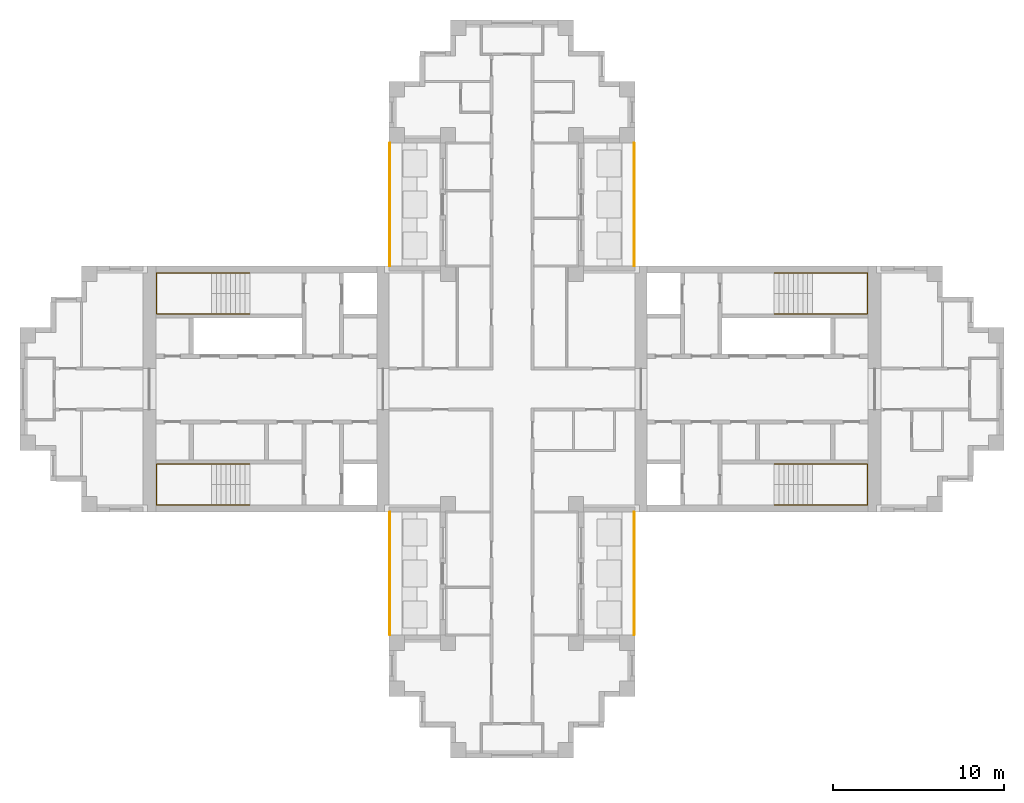
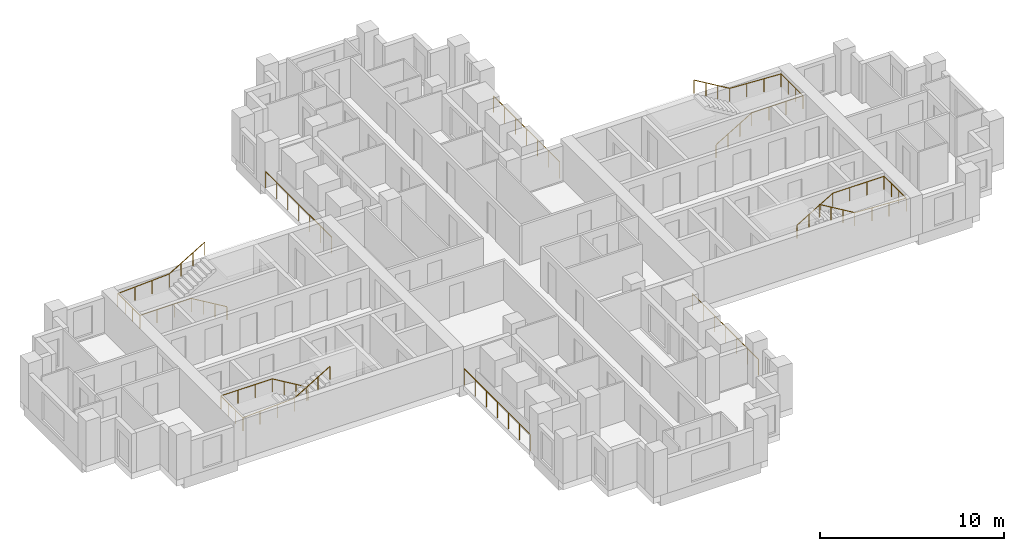
# One storey, part 9 of 10: 8 railings.
"""IFC4 building model written with IfcOpenShell, lengths in metres."""

from ifc_helpers import new_model, si_unit, direction, frame, origin, origin_2d, place, context, subcontext, project, spatial, circle, extrude, material, type_object, element, save


model = new_model("IFC4")

# Units and contexts
model_context = context("Model", 3, precision=1e-05, world=origin(), true_north=direction((0.0, 1.0)))
body_context = subcontext(model_context, "Body", "Model", "MODEL_VIEW")
ifc_project = project(units=[si_unit("LENGTHUNIT", "METRE"), si_unit("AREAUNIT", "SQUARE_METRE"), si_unit("VOLUMEUNIT", "CUBIC_METRE"), si_unit("PLANEANGLEUNIT", "RADIAN"), si_unit("MASSUNIT", "GRAM", prefix="KILO")], contexts=[model_context])

# Site, building, storey
site_placement = place(None, origin())
site = spatial("IfcSite", under=ifc_project, at=site_placement, CompositionType="ELEMENT")
building_placement = place(site_placement, origin())
building = spatial("IfcBuilding", under=site, at=building_placement, Name="Fustian Cross Tower", CompositionType="ELEMENT")
storey_placement = place(building_placement, frame((0.0, 0.0, 207.89990234375)))
storey = spatial("IfcBuildingStorey", under=building, at=storey_placement, Name="L65", CompositionType="ELEMENT", Elevation=207.89990234375)

# Railings
ifc_material_1 = material(Name="Stainless steel and glass", Category="steel")
railing_type_1 = type_object("IfcRailingType", Name="GR1 BALCONY GUARD 1100", PredefinedType="GUARDRAIL", material=ifc_material_1)
for number, where, name in (
    (1, (7.14990234375, 7.199951171875, 0.0), "Balcony guard"),
    (2, (-7.14990234375, 7.199951171875, 0.0), "Balcony guard"),
    (3, (7.14990234375, -14.39990234375, 0.0), "Balcony guard"),
    (4, (-7.14990234375, -14.39990234375, 0.0), "Balcony guard"),
):
    element("IfcRailing", number, at=place(storey_placement, frame(where)), inside=storey, type_object=railing_type_1, Name=name, PredefinedType="GUARDRAIL", context=body_context, shape_type="SweptSolid", body=[
        extrude(circle(Radius=0.02392578125, at=origin_2d()), frame((0.0, 0.0, 1.076171875), z_axis=(0.0, 1.0, 0.0), x_axis=(-1.0, 0.0, 0.0)), (0.0, 0.0, 1.0), 7.199951171875),
        extrude(circle(Radius=0.02099609375, at=origin_2d()), origin(), (0.0, 0.0, 1.0), 1.052001953125),
        extrude(circle(Radius=0.02099609375, at=origin_2d()), frame((0.0, 1.199951171875, 0.0)), (0.0, 0.0, 1.0), 1.052001953125),
        extrude(circle(Radius=0.02099609375, at=origin_2d()), frame((0.0, 2.39990234375, 0.0)), (0.0, 0.0, 1.0), 1.052001953125),
        extrude(circle(Radius=0.02099609375, at=origin_2d()), frame((0.0, 3.60009765625, 0.0)), (0.0, 0.0, 1.0), 1.052001953125),
        extrude(circle(Radius=0.02099609375, at=origin_2d()), frame((0.0, 4.800048828125, 0.0)), (0.0, 0.0, 1.0), 1.052001953125),
        extrude(circle(Radius=0.02099609375, at=origin_2d()), frame((0.0, 6.0, 0.0)), (0.0, 0.0, 1.0), 1.052001953125),
        extrude(circle(Radius=0.02099609375, at=origin_2d()), frame((0.0, 7.199951171875, 0.0)), (0.0, 0.0, 1.0), 1.052001953125),
    ])
ifc_material_2 = material(Name="Stainless steel", Category="steel")
railing_type_2 = type_object("IfcRailingType", Name="STAIR HANDRAIL", PredefinedType="HANDRAIL", material=ifc_material_2)
railing_1_placement = place(storey_placement, frame((15.35009765625, 4.39990234375, 0.166748046875)))
element("IfcRailing", 5, at=railing_1_placement, inside=storey, type_object=railing_type_2, Name="Stair ST1 handrail 1", PredefinedType="HANDRAIL", context=body_context, shape_type="SweptSolid", body=[
    extrude(circle(Radius=0.02490234375, at=origin_2d()), frame((0.0, 0.0, 0.875), z_axis=(0.859305625298, 0.0, 0.511462454469), x_axis=(0.0, 1.0, 0.0)), (0.0, 0.0, 1.0), 2.606689453125),
    extrude(circle(Radius=0.02490234375, at=origin_2d()), frame((2.239990234375, 0.0, 2.2080078125), z_axis=(1.0, 0.0, 0.0), x_axis=(0.0, 1.0, 0.0)), (0.0, 0.0, 1.0), 3.219970703125),
    extrude(circle(Radius=0.02490234375, at=origin_2d()), frame((5.4599609375, 0.0, 2.2080078125), z_axis=(0.0, 1.0, 0.0), x_axis=(-1.0, 0.0, 0.0)), (0.0, 0.0, 1.0), 2.400146484375),
    extrude(circle(Radius=0.02490234375, at=origin_2d()), frame((5.4599609375, 2.400146484375, 2.2080078125), z_axis=(-0.998661817807, 0.0, 0.051716280352), x_axis=(0.0, -1.0, 0.0)), (0.0, 0.0, 1.0), 3.224365234375),
    extrude(circle(Radius=0.02490234375, at=origin_2d()), frame((2.239990234375, 2.400146484375, 2.375), z_axis=(-0.859305625298, 0.0, 0.511462454469), x_axis=(0.0, -1.0, 0.0)), (0.0, 0.0, 1.0), 2.606689453125),
    extrude(circle(Radius=0.02001953125, at=origin_2d()), origin(), (0.0, 0.0, 1.0), 0.849853515625),
    extrude(circle(Radius=0.02001953125, at=origin_2d()), frame((0.74658203125, 0.0, 0.4443359375)), (0.0, 0.0, 1.0), 0.849853515625),
    extrude(circle(Radius=0.02001953125, at=origin_2d()), frame((1.493408203125, 0.0, 0.888916015625)), (0.0, 0.0, 1.0), 0.849853515625),
    extrude(circle(Radius=0.02001953125, at=origin_2d()), frame((2.239990234375, 0.0, 1.333251953125)), (0.0, 0.0, 1.0), 0.849853515625),
    extrude(circle(Radius=0.02001953125, at=origin_2d()), frame((3.313232421875, 0.0, 1.333251953125)), (0.0, 0.0, 1.0), 0.849853515625),
    extrude(circle(Radius=0.02001953125, at=origin_2d()), frame((4.38671875, 0.0, 1.333251953125)), (0.0, 0.0, 1.0), 0.849853515625),
    extrude(circle(Radius=0.02001953125, at=origin_2d()), frame((5.4599609375, 0.0, 1.333251953125)), (0.0, 0.0, 1.0), 0.849853515625),
    extrude(circle(Radius=0.02001953125, at=origin_2d()), frame((5.4599609375, 0.800048828125, 1.333251953125)), (0.0, 0.0, 1.0), 0.849853515625),
    extrude(circle(Radius=0.02001953125, at=origin_2d()), frame((5.4599609375, 1.60009765625, 1.333251953125)), (0.0, 0.0, 1.0), 0.849853515625),
    extrude(circle(Radius=0.02001953125, at=origin_2d()), frame((5.4599609375, 2.400146484375, 1.333251953125)), (0.0, 0.0, 1.0), 0.849853515625),
    extrude(circle(Radius=0.02001953125, at=origin_2d()), frame((4.38671875, 2.400146484375, 1.388916015625)), (0.0, 0.0, 1.0), 0.849853515625),
    extrude(circle(Radius=0.02001953125, at=origin_2d()), frame((3.313232421875, 2.400146484375, 1.4443359375)), (0.0, 0.0, 1.0), 0.849853515625),
    extrude(circle(Radius=0.02001953125, at=origin_2d()), frame((2.239990234375, 2.400146484375, 1.5)), (0.0, 0.0, 1.0), 0.849853515625),
    extrude(circle(Radius=0.02001953125, at=origin_2d()), frame((1.493408203125, 2.400146484375, 1.9443359375)), (0.0, 0.0, 1.0), 0.849853515625),
    extrude(circle(Radius=0.02001953125, at=origin_2d()), frame((0.74658203125, 2.400146484375, 2.388916015625)), (0.0, 0.0, 1.0), 0.849853515625),
    extrude(circle(Radius=0.02001953125, at=origin_2d()), frame((0.0, 2.400146484375, 2.833251953125)), (0.0, 0.0, 1.0), 0.849853515625),
])
railing_2_placement = place(storey_placement, frame((15.35009765625, -4.39990234375, 0.166748046875)))
element("IfcRailing", 6, at=railing_2_placement, inside=storey, type_object=railing_type_2, Name="Stair ST2 handrail 1", PredefinedType="HANDRAIL", context=body_context, shape_type="SweptSolid", body=[
    extrude(circle(Radius=0.02490234375, at=origin_2d()), frame((0.0, 0.0, 0.875), z_axis=(0.859305625298, 0.0, 0.511462454469), x_axis=(0.0, 1.0, 0.0)), (0.0, 0.0, 1.0), 2.606689453125),
    extrude(circle(Radius=0.02490234375, at=origin_2d()), frame((2.239990234375, 0.0, 2.2080078125), z_axis=(1.0, 0.0, 0.0), x_axis=(0.0, 1.0, 0.0)), (0.0, 0.0, 1.0), 3.219970703125),
    extrude(circle(Radius=0.02490234375, at=origin_2d()), frame((5.4599609375, 0.0, 2.2080078125), z_axis=(0.0, -1.0, 0.0), x_axis=(1.0, 0.0, 0.0)), (0.0, 0.0, 1.0), 2.400146484375),
    extrude(circle(Radius=0.02490234375, at=origin_2d()), frame((5.4599609375, -2.400146484375, 2.2080078125), z_axis=(-0.998661817807, 0.0, 0.051716280352), x_axis=(0.0, -1.0, 0.0)), (0.0, 0.0, 1.0), 3.224365234375),
    extrude(circle(Radius=0.02490234375, at=origin_2d()), frame((2.239990234375, -2.400146484375, 2.375), z_axis=(-0.859305625298, 0.0, 0.511462454469), x_axis=(0.0, -1.0, 0.0)), (0.0, 0.0, 1.0), 2.606689453125),
    extrude(circle(Radius=0.02001953125, at=origin_2d()), origin(), (0.0, 0.0, 1.0), 0.849853515625),
    extrude(circle(Radius=0.02001953125, at=origin_2d()), frame((0.74658203125, 0.0, 0.4443359375)), (0.0, 0.0, 1.0), 0.849853515625),
    extrude(circle(Radius=0.02001953125, at=origin_2d()), frame((1.493408203125, 0.0, 0.888916015625)), (0.0, 0.0, 1.0), 0.849853515625),
    extrude(circle(Radius=0.02001953125, at=origin_2d()), frame((2.239990234375, 0.0, 1.333251953125)), (0.0, 0.0, 1.0), 0.849853515625),
    extrude(circle(Radius=0.02001953125, at=origin_2d()), frame((3.313232421875, 0.0, 1.333251953125)), (0.0, 0.0, 1.0), 0.849853515625),
    extrude(circle(Radius=0.02001953125, at=origin_2d()), frame((4.38671875, 0.0, 1.333251953125)), (0.0, 0.0, 1.0), 0.849853515625),
    extrude(circle(Radius=0.02001953125, at=origin_2d()), frame((5.4599609375, 0.0, 1.333251953125)), (0.0, 0.0, 1.0), 0.849853515625),
    extrude(circle(Radius=0.02001953125, at=origin_2d()), frame((5.4599609375, -0.800048828125, 1.333251953125)), (0.0, 0.0, 1.0), 0.849853515625),
    extrude(circle(Radius=0.02001953125, at=origin_2d()), frame((5.4599609375, -1.60009765625, 1.333251953125)), (0.0, 0.0, 1.0), 0.849853515625),
    extrude(circle(Radius=0.02001953125, at=origin_2d()), frame((5.4599609375, -2.400146484375, 1.333251953125)), (0.0, 0.0, 1.0), 0.849853515625),
    extrude(circle(Radius=0.02001953125, at=origin_2d()), frame((4.38671875, -2.400146484375, 1.388916015625)), (0.0, 0.0, 1.0), 0.849853515625),
    extrude(circle(Radius=0.02001953125, at=origin_2d()), frame((3.313232421875, -2.400146484375, 1.4443359375)), (0.0, 0.0, 1.0), 0.849853515625),
    extrude(circle(Radius=0.02001953125, at=origin_2d()), frame((2.239990234375, -2.400146484375, 1.5)), (0.0, 0.0, 1.0), 0.849853515625),
    extrude(circle(Radius=0.02001953125, at=origin_2d()), frame((1.493408203125, -2.400146484375, 1.9443359375)), (0.0, 0.0, 1.0), 0.849853515625),
    extrude(circle(Radius=0.02001953125, at=origin_2d()), frame((0.74658203125, -2.400146484375, 2.388916015625)), (0.0, 0.0, 1.0), 0.849853515625),
    extrude(circle(Radius=0.02001953125, at=origin_2d()), frame((0.0, -2.400146484375, 2.833251953125)), (0.0, 0.0, 1.0), 0.849853515625),
])
railing_3_placement = place(storey_placement, frame((-15.35009765625, 4.39990234375, 0.166748046875)))
element("IfcRailing", 7, at=railing_3_placement, inside=storey, type_object=railing_type_2, Name="Stair ST3 handrail 1", PredefinedType="HANDRAIL", context=body_context, shape_type="SweptSolid", body=[
    extrude(circle(Radius=0.02490234375, at=origin_2d()), frame((0.0, 0.0, 0.875), z_axis=(-0.859305625298, 0.0, 0.511462454469), x_axis=(0.0, -1.0, 0.0)), (0.0, 0.0, 1.0), 2.606689453125),
    extrude(circle(Radius=0.02490234375, at=origin_2d()), frame((-2.239990234375, 0.0, 2.2080078125), z_axis=(-1.0, 0.0, 0.0), x_axis=(0.0, -1.0, 0.0)), (0.0, 0.0, 1.0), 3.219970703125),
    extrude(circle(Radius=0.02490234375, at=origin_2d()), frame((-5.4599609375, 0.0, 2.2080078125), z_axis=(0.0, 1.0, 0.0), x_axis=(-1.0, 0.0, 0.0)), (0.0, 0.0, 1.0), 2.400146484375),
    extrude(circle(Radius=0.02490234375, at=origin_2d()), frame((-5.4599609375, 2.400146484375, 2.2080078125), z_axis=(0.998661817807, 0.0, 0.051716280352), x_axis=(0.0, 1.0, 0.0)), (0.0, 0.0, 1.0), 3.224365234375),
    extrude(circle(Radius=0.02490234375, at=origin_2d()), frame((-2.239990234375, 2.400146484375, 2.375), z_axis=(0.859305625298, 0.0, 0.511462454469), x_axis=(0.0, 1.0, 0.0)), (0.0, 0.0, 1.0), 2.606689453125),
    extrude(circle(Radius=0.02001953125, at=origin_2d()), origin(), (0.0, 0.0, 1.0), 0.849853515625),
    extrude(circle(Radius=0.02001953125, at=origin_2d()), frame((-0.74658203125, 0.0, 0.4443359375)), (0.0, 0.0, 1.0), 0.849853515625),
    extrude(circle(Radius=0.02001953125, at=origin_2d()), frame((-1.493408203125, 0.0, 0.888916015625)), (0.0, 0.0, 1.0), 0.849853515625),
    extrude(circle(Radius=0.02001953125, at=origin_2d()), frame((-2.239990234375, 0.0, 1.333251953125)), (0.0, 0.0, 1.0), 0.849853515625),
    extrude(circle(Radius=0.02001953125, at=origin_2d()), frame((-3.313232421875, 0.0, 1.333251953125)), (0.0, 0.0, 1.0), 0.849853515625),
    extrude(circle(Radius=0.02001953125, at=origin_2d()), frame((-4.38671875, 0.0, 1.333251953125)), (0.0, 0.0, 1.0), 0.849853515625),
    extrude(circle(Radius=0.02001953125, at=origin_2d()), frame((-5.4599609375, 0.0, 1.333251953125)), (0.0, 0.0, 1.0), 0.849853515625),
    extrude(circle(Radius=0.02001953125, at=origin_2d()), frame((-5.4599609375, 0.800048828125, 1.333251953125)), (0.0, 0.0, 1.0), 0.849853515625),
    extrude(circle(Radius=0.02001953125, at=origin_2d()), frame((-5.4599609375, 1.60009765625, 1.333251953125)), (0.0, 0.0, 1.0), 0.849853515625),
    extrude(circle(Radius=0.02001953125, at=origin_2d()), frame((-5.4599609375, 2.400146484375, 1.333251953125)), (0.0, 0.0, 1.0), 0.849853515625),
    extrude(circle(Radius=0.02001953125, at=origin_2d()), frame((-4.38671875, 2.400146484375, 1.388916015625)), (0.0, 0.0, 1.0), 0.849853515625),
    extrude(circle(Radius=0.02001953125, at=origin_2d()), frame((-3.313232421875, 2.400146484375, 1.4443359375)), (0.0, 0.0, 1.0), 0.849853515625),
    extrude(circle(Radius=0.02001953125, at=origin_2d()), frame((-2.239990234375, 2.400146484375, 1.5)), (0.0, 0.0, 1.0), 0.849853515625),
    extrude(circle(Radius=0.02001953125, at=origin_2d()), frame((-1.493408203125, 2.400146484375, 1.9443359375)), (0.0, 0.0, 1.0), 0.849853515625),
    extrude(circle(Radius=0.02001953125, at=origin_2d()), frame((-0.74658203125, 2.400146484375, 2.388916015625)), (0.0, 0.0, 1.0), 0.849853515625),
    extrude(circle(Radius=0.02001953125, at=origin_2d()), frame((0.0, 2.400146484375, 2.833251953125)), (0.0, 0.0, 1.0), 0.849853515625),
])
railing_4_placement = place(storey_placement, frame((-15.35009765625, -4.39990234375, 0.166748046875)))
element("IfcRailing", 8, at=railing_4_placement, inside=storey, type_object=railing_type_2, Name="Stair ST4 handrail 1", PredefinedType="HANDRAIL", context=body_context, shape_type="SweptSolid", body=[
    extrude(circle(Radius=0.02490234375, at=origin_2d()), frame((0.0, 0.0, 0.875), z_axis=(-0.859305625298, 0.0, 0.511462454469), x_axis=(0.0, -1.0, 0.0)), (0.0, 0.0, 1.0), 2.606689453125),
    extrude(circle(Radius=0.02490234375, at=origin_2d()), frame((-2.239990234375, 0.0, 2.2080078125), z_axis=(-1.0, 0.0, 0.0), x_axis=(0.0, -1.0, 0.0)), (0.0, 0.0, 1.0), 3.219970703125),
    extrude(circle(Radius=0.02490234375, at=origin_2d()), frame((-5.4599609375, 0.0, 2.2080078125), z_axis=(0.0, -1.0, 0.0), x_axis=(1.0, 0.0, 0.0)), (0.0, 0.0, 1.0), 2.400146484375),
    extrude(circle(Radius=0.02490234375, at=origin_2d()), frame((-5.4599609375, -2.400146484375, 2.2080078125), z_axis=(0.998661817807, 0.0, 0.051716280352), x_axis=(0.0, 1.0, 0.0)), (0.0, 0.0, 1.0), 3.224365234375),
    extrude(circle(Radius=0.02490234375, at=origin_2d()), frame((-2.239990234375, -2.400146484375, 2.375), z_axis=(0.859305625298, 0.0, 0.511462454469), x_axis=(0.0, 1.0, 0.0)), (0.0, 0.0, 1.0), 2.606689453125),
    extrude(circle(Radius=0.02001953125, at=origin_2d()), origin(), (0.0, 0.0, 1.0), 0.849853515625),
    extrude(circle(Radius=0.02001953125, at=origin_2d()), frame((-0.74658203125, 0.0, 0.4443359375)), (0.0, 0.0, 1.0), 0.849853515625),
    extrude(circle(Radius=0.02001953125, at=origin_2d()), frame((-1.493408203125, 0.0, 0.888916015625)), (0.0, 0.0, 1.0), 0.849853515625),
    extrude(circle(Radius=0.02001953125, at=origin_2d()), frame((-2.239990234375, 0.0, 1.333251953125)), (0.0, 0.0, 1.0), 0.849853515625),
    extrude(circle(Radius=0.02001953125, at=origin_2d()), frame((-3.313232421875, 0.0, 1.333251953125)), (0.0, 0.0, 1.0), 0.849853515625),
    extrude(circle(Radius=0.02001953125, at=origin_2d()), frame((-4.38671875, 0.0, 1.333251953125)), (0.0, 0.0, 1.0), 0.849853515625),
    extrude(circle(Radius=0.02001953125, at=origin_2d()), frame((-5.4599609375, 0.0, 1.333251953125)), (0.0, 0.0, 1.0), 0.849853515625),
    extrude(circle(Radius=0.02001953125, at=origin_2d()), frame((-5.4599609375, -0.800048828125, 1.333251953125)), (0.0, 0.0, 1.0), 0.849853515625),
    extrude(circle(Radius=0.02001953125, at=origin_2d()), frame((-5.4599609375, -1.60009765625, 1.333251953125)), (0.0, 0.0, 1.0), 0.849853515625),
    extrude(circle(Radius=0.02001953125, at=origin_2d()), frame((-5.4599609375, -2.400146484375, 1.333251953125)), (0.0, 0.0, 1.0), 0.849853515625),
    extrude(circle(Radius=0.02001953125, at=origin_2d()), frame((-4.38671875, -2.400146484375, 1.388916015625)), (0.0, 0.0, 1.0), 0.849853515625),
    extrude(circle(Radius=0.02001953125, at=origin_2d()), frame((-3.313232421875, -2.400146484375, 1.4443359375)), (0.0, 0.0, 1.0), 0.849853515625),
    extrude(circle(Radius=0.02001953125, at=origin_2d()), frame((-2.239990234375, -2.400146484375, 1.5)), (0.0, 0.0, 1.0), 0.849853515625),
    extrude(circle(Radius=0.02001953125, at=origin_2d()), frame((-1.493408203125, -2.400146484375, 1.9443359375)), (0.0, 0.0, 1.0), 0.849853515625),
    extrude(circle(Radius=0.02001953125, at=origin_2d()), frame((-0.74658203125, -2.400146484375, 2.388916015625)), (0.0, 0.0, 1.0), 0.849853515625),
    extrude(circle(Radius=0.02001953125, at=origin_2d()), frame((0.0, -2.400146484375, 2.833251953125)), (0.0, 0.0, 1.0), 0.849853515625),
])

save(model, "model.ifc")
